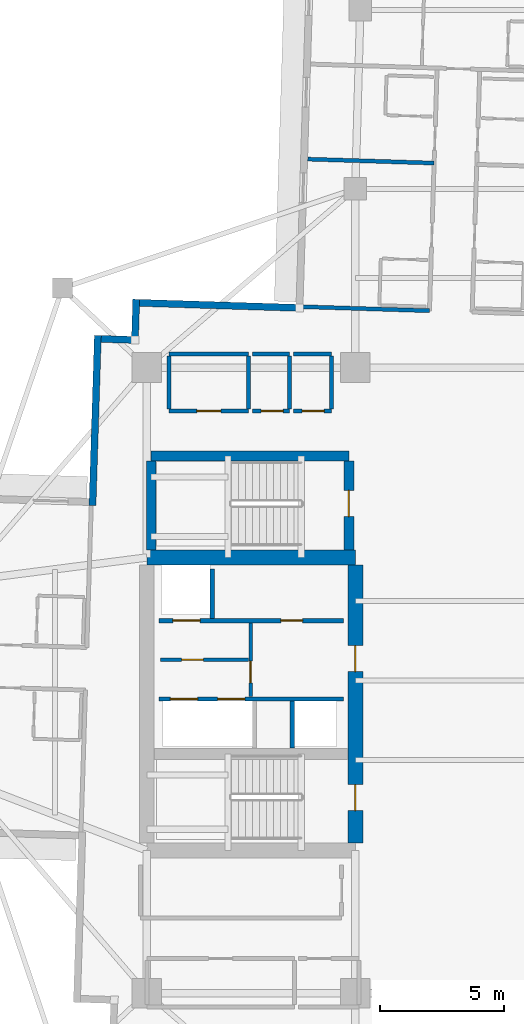
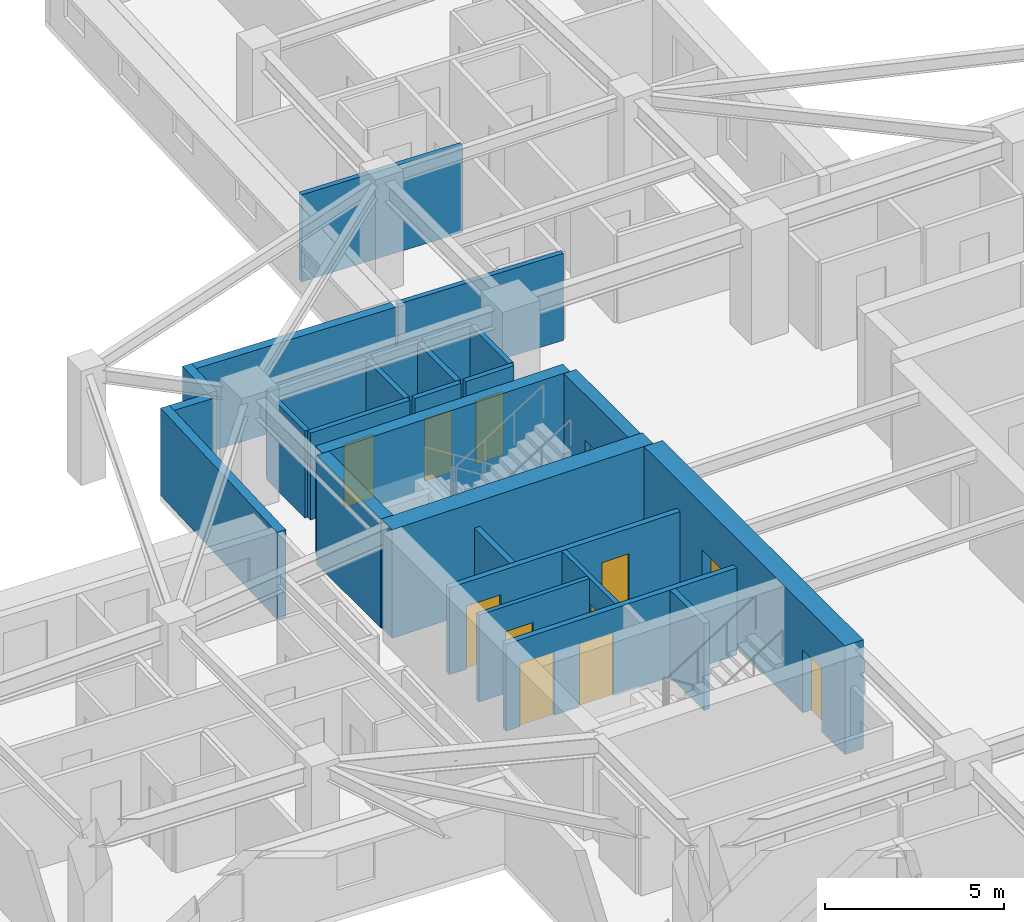
# One storey, part 6 of 14: 27 walls, 12 doors, 12 openings.
"""IFC4 building model written with IfcOpenShell, lengths in metres."""

import ifcopenshell
import ifcopenshell.guid

model = None  # the IFC model being written
_history = None  # IfcOwnerHistory: only IFC2X3 demands one
_inside = {}  # id of a spatial element -> (the spatial element, [elements in it])
_under = {}  # id of a project, library or spatial element -> (it, [spatial elements below it])
_declared = {}  # id of a project -> (the project, [libraries it declares])
_typed = {}  # id of a type object -> (the type object, [elements of that type])
_made_of = {}  # id of a material, layer set ... -> (it, [elements and type objects made of it])


def new_model(schema):
    """Start an empty IFC model of exactly this schema.

    Asked for "IFC4X3", IfcOpenShell would pick the latest addendum, in which some entities
    have other attributes; the version numbers below select the first issue.
    IFC2X3 requires an IfcOwnerHistory on every rooted entity: one is made here for all.
    """
    global model, _history
    if schema == "IFC4X3":
        model = ifcopenshell.file(schema_version=(4, 3, 0, 0))
    else:
        model = ifcopenshell.file(schema=schema)
    _inside.clear()
    _under.clear()
    _declared.clear()
    _typed.clear()
    _made_of.clear()
    _history = None
    if model.schema == "IFC2X3":
        org = make("IfcOrganization", Name="unknown")
        user = make(
            "IfcPersonAndOrganization",
            ThePerson=make("IfcPerson", FamilyName="unknown"),
            TheOrganization=org,
        )
        app = make(
            "IfcApplication",
            ApplicationDeveloper=org,
            Version="unknown",
            ApplicationFullName="unknown",
            ApplicationIdentifier="unknown",
        )
        _history = make(
            "IfcOwnerHistory",
            OwningUser=user,
            OwningApplication=app,
            ChangeAction="ADDED",
            CreationDate=0,
        )
    return model


def make(cls, **values):
    """One entity of the class cls with the attributes given. An attribute that is None is left unset."""
    return model.create_entity(
        cls, **{name: value for name, value in values.items() if value is not None}
    )


def rooted(cls, **values):
    """An entity with a GlobalId (a new one), such as an element, a storey or a relation."""
    return make(cls, GlobalId=ifcopenshell.guid.new(), OwnerHistory=_history, **values)


def si_unit(unit_type, name, prefix=None):
    """IfcSIUnit, for example si_unit("LENGTHUNIT", "METRE", prefix="MILLI")."""
    return make("IfcSIUnit", UnitType=unit_type, Prefix=prefix, Name=name)


def assignment(units):
    """IfcUnitAssignment: the units of a project."""
    return None if units is None else make("IfcUnitAssignment", Units=units)


def point(xyz):
    """IfcCartesianPoint."""
    return None if xyz is None else make("IfcCartesianPoint", Coordinates=xyz)


def direction(xyz):
    """IfcDirection."""
    return None if xyz is None else make("IfcDirection", DirectionRatios=xyz)


def frame(location, z_axis=None, x_axis=None):
    """IfcAxis2Placement3D, a coordinate frame: its origin and axes. An axis left out is left unset."""
    return make(
        "IfcAxis2Placement3D",
        Location=point(location),
        Axis=direction(z_axis),
        RefDirection=direction(x_axis),
    )


def frame_2d(location, x_axis=None):
    """IfcAxis2Placement2D, a coordinate frame in the plane: its origin and x axis."""
    return make(
        "IfcAxis2Placement2D", Location=point(location), RefDirection=direction(x_axis)
    )


def origin():
    """The frame at (0, 0, 0) with its axes left unset."""
    return frame((0.0, 0.0, 0.0))


def place(relative_to, where):
    """IfcLocalPlacement: puts the frame where relative to a parent placement (None: the world)."""
    return make(
        "IfcLocalPlacement", PlacementRelTo=relative_to, RelativePlacement=where
    )


def context(
    kind, dimensions, precision=None, world=None, true_north=None, identifier=None
):
    """IfcGeometricRepresentationContext, for example the 3D "Model" context."""
    return make(
        "IfcGeometricRepresentationContext",
        ContextIdentifier=identifier,
        ContextType=kind,
        CoordinateSpaceDimension=dimensions,
        Precision=precision,
        WorldCoordinateSystem=world,
        TrueNorth=true_north,
    )


def subcontext(parent, identifier, kind, view, scale=None):
    """IfcGeometricRepresentationSubContext, for example "Body" below "Model"."""
    return make(
        "IfcGeometricRepresentationSubContext",
        ContextIdentifier=identifier,
        ContextType=kind,
        ParentContext=parent,
        TargetScale=scale,
        TargetView=view,
    )


def project(units=None, contexts=None):
    """IfcProject with its units and contexts."""
    return rooted(
        "IfcProject",
        Name="project",
        RepresentationContexts=contexts,
        UnitsInContext=assignment(units),
    )


def spatial(cls, under=None, at=None, **own):
    """A site, building, storey or space (cls), placed at a placement, below another one or the project."""
    s = rooted(cls, ObjectPlacement=at, **own)
    if under is not None:
        _under.setdefault(under.id(), (under, []))[1].append(s)
    return s


def profile(cls, at=None, kind="AREA", **sizes):
    """A parametric profile (cls). Its sizes go by their IFC names, for example OverallWidth=200.0."""
    return make(cls, ProfileType=kind, Position=at, **sizes)


def rectangle(**sizes):
    """IfcRectangleProfileDef."""
    return profile("IfcRectangleProfileDef", **sizes)


def extrude(swept, where, along, depth):
    """IfcExtrudedAreaSolid: the profile swept, set in the frame where, extruded along a direction by depth."""
    return make(
        "IfcExtrudedAreaSolid",
        SweptArea=swept,
        Position=where,
        ExtrudedDirection=direction(along),
        Depth=depth,
    )


def shape(context_of_items, identifier, shape_type, items):
    """IfcShapeRepresentation: the items that make up one representation, for example the "Body"."""
    return make(
        "IfcShapeRepresentation",
        ContextOfItems=context_of_items,
        RepresentationIdentifier=identifier,
        RepresentationType=shape_type,
        Items=items,
    )


def material(Name=None, Category=None):
    """IfcMaterial."""
    return make("IfcMaterial", Name=Name, Category=Category)


def layer(
    of_material, thickness, ventilated=None, Name=None, Category=None, Priority=None
):
    """IfcMaterialLayer: one layer of a wall or slab, of a material (None: an air gap)."""
    return make(
        "IfcMaterialLayer",
        Material=of_material,
        LayerThickness=thickness,
        IsVentilated=ventilated,
        Name=Name,
        Category=Category,
        Priority=Priority,
    )


def layer_set(layers, Name=None):
    """IfcMaterialLayerSet."""
    return make("IfcMaterialLayerSet", MaterialLayers=layers, LayerSetName=Name)


def made_of(thing, what):
    """Note that an element or type object is made of a material, layer set ...; save() writes the relation."""
    if what is not None:
        _made_of.setdefault(what.id(), (what, []))[1].append(thing)
    return thing


def type_object(cls, material=None, **own):
    """A type object (cls), such as IfcWallType, which elements share."""
    return made_of(rooted(cls, **own), material)


def element(
    cls,
    number,
    at=None,
    inside=None,
    cuts=None,
    type_object=None,
    material=None,
    context=None,
    identifier="Body",
    shape_type=None,
    held_by="IfcProductDefinitionShape",
    body=None,
    shapes=None,
    **own,
):
    """One element of the class cls, such as IfcWall. Its Tag is "e" and its number.

    at: its placement. inside: the storey or other place that contains it. cuts: it is an
    opening in that element (IfcRelVoidsElement). A single representation is given by context,
    identifier, shape_type and body (its items); several are given by shapes. held_by: the class
    of the entity that holds the representations. save() writes the other relations.
    """
    e = rooted(cls, Tag="e%d" % number, ObjectPlacement=at, **own)
    if body is not None:
        shapes = [shape(context, identifier, shape_type, body)]
    if shapes is not None:
        e.Representation = make(held_by, Representations=shapes)
    if inside is not None:
        _inside.setdefault(inside.id(), (inside, []))[1].append(e)
    if cuts is not None:
        rooted(
            "IfcRelVoidsElement", RelatingBuildingElement=cuts, RelatedOpeningElement=e
        )
    if type_object is not None:
        _typed.setdefault(type_object.id(), (type_object, []))[1].append(e)
    return made_of(e, material)


def fill(opening, filler):
    """IfcRelFillsElement: the door or window that sits in an opening."""
    return rooted(
        "IfcRelFillsElement",
        RelatingOpeningElement=opening,
        RelatedBuildingElement=filler,
    )


def aggregate(whole, parts):
    """IfcRelAggregates: a whole, such as a stair, and the parts it consists of."""
    return rooted("IfcRelAggregates", RelatingObject=whole, RelatedObjects=parts)


def save(model, path):
    """Write the relations noted so far, then the file.

    IfcRelAggregates (storeys below a building ...), IfcRelContainedInSpatialStructure (elements
    in a storey), IfcRelDefinesByType, IfcRelAssociatesMaterial and IfcRelDeclares: one each for
    every whole, place, type object, material and project.
    """
    for whole, parts in _under.values():
        aggregate(whole, parts)
    for where, things in _inside.values():
        rooted(
            "IfcRelContainedInSpatialStructure",
            RelatedElements=things,
            RelatingStructure=where,
        )
    for kind, things in _typed.values():
        rooted("IfcRelDefinesByType", RelatedObjects=things, RelatingType=kind)
    for what, things in _made_of.values():
        rooted("IfcRelAssociatesMaterial", RelatedObjects=things, RelatingMaterial=what)
    for by, libraries in _declared.values():
        rooted("IfcRelDeclares", RelatingContext=by, RelatedDefinitions=libraries)
    model.write(path)


model = new_model("IFC4")

# Units and contexts
model_context = context("Model", 3, precision=1e-05, world=origin(), true_north=direction((0.0, 1.0)))
body_context = subcontext(model_context, "Body", "Model", "MODEL_VIEW")
ifc_project = project(units=[si_unit("LENGTHUNIT", "METRE"), si_unit("AREAUNIT", "SQUARE_METRE"), si_unit("VOLUMEUNIT", "CUBIC_METRE"), si_unit("PLANEANGLEUNIT", "RADIAN"), si_unit("MASSUNIT", "GRAM", prefix="KILO")], contexts=[model_context])

# Site, building, storey
site_placement = place(None, origin())
site = spatial("IfcSite", under=ifc_project, at=site_placement, CompositionType="ELEMENT")
building_placement = place(site_placement, origin())
building = spatial("IfcBuilding", under=site, at=building_placement, Name="Qingluan Cross Belvedere", CompositionType="ELEMENT")
storey_placement = place(building_placement, frame((0.0, 0.0, 176.10009765625)))
storey = spatial("IfcBuildingStorey", under=building, at=storey_placement, Name="L44", CompositionType="ELEMENT", Elevation=176.10009765625)

# Walls
ifc_material_1 = material(Name="Concrete C50", Category="concrete")
ifc_layer_1 = layer(ifc_material_1, 0.449951171875, Name="CoreShearWall_450")
ifc_layer_set_1 = layer_set([ifc_layer_1], Name="Concrete C50")
wall_type_1 = type_object("IfcWallType", Name="CoreShearWall_450", PredefinedType="SHEAR", material=ifc_layer_set_1)
wall_1_placement = place(storey_placement, frame((-12.219970703125, 9.0400390625, 0.0), z_axis=(0.0, 0.0, 1.0), x_axis=(1.0, 0.0, 0.0)))
element("IfcWall", 1, at=wall_1_placement, inside=storey, type_object=wall_type_1, Name="Stair ST3 structural wall N L44", PredefinedType="SHEAR", context=body_context, shape_type="SweptSolid", body=[
    extrude(rectangle(XDim=7.9599609375, YDim=0.39990234375, at=frame_2d((3.97998046875, 0.0))), origin(), (0.0, 0.0, 1.0), 3.699951171875),
])
wall_2_placement = place(storey_placement, frame((-12.219970703125, 5.2548828125, 0.0), z_axis=(0.0, 0.0, 1.0), x_axis=(0.0, 1.0, 0.0)))
element("IfcWall", 2, at=wall_2_placement, inside=storey, type_object=wall_type_1, Name="Stair ST3 structural wall W L44", PredefinedType="SHEAR", context=body_context, shape_type="SweptSolid", body=[
    extrude(rectangle(XDim=3.580078125, YDim=0.39990234375, at=frame_2d((1.7900390625, 0.0))), origin(), (0.0, 0.0, 1.0), 3.699951171875),
])

# Wall, opening, door
wall_3_placement = place(storey_placement, frame((-4.260009765625, 5.2548828125, 0.0), z_axis=(0.0, 0.0, 1.0), x_axis=(0.0, 1.0, 0.0)))
wall_3 = element("IfcWall", 3, at=wall_3_placement, inside=storey, type_object=wall_type_1, Name="Stair ST3 structural wall E L44", PredefinedType="SHEAR", context=body_context, shape_type="SweptSolid", body=[
    extrude(rectangle(XDim=3.580078125, YDim=0.39990234375, at=frame_2d((1.7900390625, 0.0))), origin(), (0.0, 0.0, 1.0), 3.699951171875),
])
opening_1_placement = place(wall_3_placement, frame((1.344970703125, 0.0, 0.0)))
opening_1 = element("IfcOpeningElement", 4, at=opening_1_placement, cuts=wall_3, Name="Opening FD-B11", PredefinedType="OPENING", context=body_context, shape_type="SweptSolid", body=[
    extrude(rectangle(XDim=1.050048828125, YDim=2.14990234375, at=frame_2d((0.52490234375, 1.074951171875))), frame((0.0, 0.2099609375, 0.0), z_axis=(0.0, -1.0, 0.0), x_axis=(1.0, 0.0, 0.0)), (0.0, 0.0, 1.0), 0.419921875),
])
ifc_material_2 = material(Name="Steel Class B smoke-seal fire door", Category="steel")
door_type_1 = type_object("IfcDoorType", Name="StairLobbyFireDoor_FDB", OperationType="NOTDEFINED", PredefinedType="DOOR", material=ifc_material_2)
door_1_placement = place(opening_1_placement, origin())
door_1 = element("IfcDoor", 5, at=door_1_placement, inside=storey, type_object=door_type_1, Name="Smoke-proof stair ST3 fire door L44", OperationType="SINGLE_SWING_RIGHT", OverallHeight=2.14990234375, OverallWidth=1.050048828125, PredefinedType="DOOR", context=body_context, shape_type="SweptSolid", body=[
    extrude(rectangle(XDim=1.050048828125, YDim=2.14990234375, at=frame_2d((0.52490234375, 1.074951171875))), frame((0.0, 0.02490234375, 0.0), z_axis=(0.0, -1.0, 0.0), x_axis=(1.0, 0.0, 0.0)), (0.0, 0.0, 1.0), 0.050048828125),
])
fill(opening_1, door_1)

# Wall
ifc_material_3 = material(Name="Concrete C60", Category="concrete")
ifc_layer_2 = layer(ifc_material_3, 0.60009765625, Name="CoreShearWall_600")
ifc_layer_set_2 = layer_set([ifc_layer_2], Name="Concrete C60")
wall_type_2 = type_object("IfcWallType", Name="CoreShearWall_600", PredefinedType="SHEAR", material=ifc_layer_set_2)
wall_4_placement = place(storey_placement, frame((-12.39990234375, 4.949951171875, 0.0), z_axis=(0.0, 0.0, 1.0), x_axis=(1.0, 0.0, 0.0)))
element("IfcWall", 6, at=wall_4_placement, inside=storey, type_object=wall_type_2, Name="Split core W shear wall L44-N", PredefinedType="SHEAR", context=body_context, shape_type="SweptSolid", body=[
    extrude(rectangle(XDim=8.39990234375, YDim=0.60009765625, at=frame_2d((4.199951171875, 0.0))), origin(), (0.0, 0.0, 1.0), 3.699951171875),
])

# Wall, openings, doors
wall_5_placement = place(storey_placement, frame((-4.0, -6.544921875, 0.0), z_axis=(0.0, 0.0, 1.0), x_axis=(0.0, 1.0, 0.0)))
wall_5 = element("IfcWall", 7, at=wall_5_placement, inside=storey, type_object=wall_type_2, Name="Split core W shear wall L44-E", PredefinedType="SHEAR", context=body_context, shape_type="SweptSolid", body=[
    extrude(rectangle(XDim=11.18994140625, YDim=0.60009765625, at=frame_2d((5.594970703125, 0.0))), origin(), (0.0, 0.0, 1.0), 3.699951171875),
])
opening_2_placement = place(wall_5_placement, frame((1.294921875, 0.0, 0.0)))
opening_2 = element("IfcOpeningElement", 8, at=opening_2_placement, cuts=wall_5, Name="Opening FD-B11", PredefinedType="OPENING", context=body_context, shape_type="SweptSolid", body=[
    extrude(rectangle(XDim=1.050048828125, YDim=2.14990234375, at=frame_2d((0.52490234375, 1.074951171875))), frame((0.0, 0.31005859375, 0.0), z_axis=(0.0, -1.0, 0.0), x_axis=(1.0, 0.0, 0.0)), (0.0, 0.0, 1.0), 0.6201171875),
])
opening_3_placement = place(wall_5_placement, frame((6.89501953125, 0.0, 0.0)))
opening_3 = element("IfcOpeningElement", 9, at=opening_3_placement, cuts=wall_5, Name="Opening FD-B11", PredefinedType="OPENING", context=body_context, shape_type="SweptSolid", body=[
    extrude(rectangle(XDim=1.050048828125, YDim=2.14990234375, at=frame_2d((0.52490234375, 1.074951171875))), frame((0.0, 0.31005859375, 0.0), z_axis=(0.0, -1.0, 0.0), x_axis=(1.0, 0.0, 0.0)), (0.0, 0.0, 1.0), 0.6201171875),
])
door_2_placement = place(opening_2_placement, origin())
door_2 = element("IfcDoor", 10, at=door_2_placement, inside=storey, type_object=door_type_1, Name="Smoke-proof stair ST1 fire door L44", OperationType="SINGLE_SWING_RIGHT", OverallHeight=2.14990234375, OverallWidth=1.050048828125, PredefinedType="DOOR", context=body_context, shape_type="SweptSolid", body=[
    extrude(rectangle(XDim=1.050048828125, YDim=2.14990234375, at=frame_2d((0.52490234375, 1.074951171875))), frame((0.0, 0.02490234375, 0.0), z_axis=(0.0, -1.0, 0.0), x_axis=(1.0, 0.0, 0.0)), (0.0, 0.0, 1.0), 0.050048828125),
])
fill(opening_2, door_2)
door_3_placement = place(opening_3_placement, origin())
door_3 = element("IfcDoor", 11, at=door_3_placement, inside=storey, type_object=door_type_1, Name="Firefighting lobby West fire door L44", OperationType="SINGLE_SWING_RIGHT", OverallHeight=2.14990234375, OverallWidth=1.050048828125, PredefinedType="DOOR", context=body_context, shape_type="SweptSolid", body=[
    extrude(rectangle(XDim=1.050048828125, YDim=2.14990234375, at=frame_2d((0.52490234375, 1.074951171875))), frame((0.0, 0.02490234375, 0.0), z_axis=(0.0, -1.0, 0.0), x_axis=(1.0, 0.0, 0.0)), (0.0, 0.0, 1.0), 0.050048828125),
])
fill(opening_3, door_3)

# Wall, opening, door
ifc_material_4 = material(Name="Gypsum plasterboard on steel stud acoustic partition", Category="steel")
ifc_layer_3 = layer(ifc_material_4, 0.159912109375, Name="CorridorPartition_160")
ifc_layer_set_3 = layer_set([ifc_layer_3], Name="Gypsum plasterboard on steel stud acoustic partition")
wall_type_3 = type_object("IfcWallType", Name="CorridorPartition_160", PredefinedType="PARTITIONING", material=ifc_layer_set_3)
wall_6_placement = place(storey_placement, frame((-11.85009765625, 0.830078125, 0.0), z_axis=(0.0, 0.0, 1.0), x_axis=(1.0, 0.0, 0.0)))
wall_6 = element("IfcWall", 12, at=wall_6_placement, inside=storey, type_object=wall_type_3, Name="Partition L44:w", PredefinedType="PARTITIONING", context=body_context, shape_type="SweptSolid", body=[
    extrude(rectangle(XDim=3.552001953125, YDim=0.139892578125, at=frame_2d((1.77587890625, 0.0))), origin(), (0.0, 0.0, 1.0), 2.9599609375),
])
opening_4_placement = place(wall_6_placement, frame((0.85009765625, 0.0, 0.0)))
opening_4 = element("IfcOpeningElement", 13, at=opening_4_placement, cuts=wall_6, Name="Opening FD-B10", PredefinedType="OPENING", context=body_context, shape_type="SweptSolid", body=[
    extrude(rectangle(XDim=0.8798828125, YDim=2.10009765625, at=frame_2d((0.43994140625, 1.050048828125))), frame((0.0, 0.079833984375, 0.0), z_axis=(0.0, -1.0, 0.0), x_axis=(1.0, 0.0, 0.0)), (0.0, 0.0, 1.0), 0.159912109375),
])
ifc_material_5 = material(Name="Steel Class B service fire door", Category="steel")
door_type_2 = type_object("IfcDoorType", Name="RiserServiceFireDoor_FDB", OperationType="NOTDEFINED", PredefinedType="DOOR", material=ifc_material_5)
door_4_placement = place(opening_4_placement, origin())
door_4 = element("IfcDoor", 14, at=door_4_placement, inside=storey, type_object=door_type_2, Name="Service closet inner door L44", OperationType="SINGLE_SWING_LEFT", OverallHeight=2.10009765625, OverallWidth=0.8798828125, PredefinedType="DOOR", context=body_context, shape_type="SweptSolid", body=[
    extrude(rectangle(XDim=0.8798828125, YDim=2.10009765625, at=frame_2d((0.43994140625, 1.050048828125))), frame((0.0, 0.02490234375, 0.0), z_axis=(0.0, -1.0, 0.0), x_axis=(1.0, 0.0, 0.0)), (0.0, 0.0, 1.0), 0.050048828125),
])
fill(opening_4, door_4)

wall_7_placement = place(storey_placement, frame((-11.5, 10.85009765625, 0.0), z_axis=(0.0, 0.0, 1.0), x_axis=(1.0, 0.0, 0.0)))
wall_7 = element("IfcWall", 15, at=wall_7_placement, inside=storey, type_object=wall_type_3, Name="Partition L44:q_nw_occ:S", PredefinedType="PARTITIONING", context=body_context, shape_type="SweptSolid", body=[
    extrude(rectangle(XDim=3.199951171875, YDim=0.159912109375, at=frame_2d((1.60009765625, 0.0))), origin(), (0.0, 0.0, 1.0), 2.9599609375),
])
opening_5_placement = place(wall_7_placement, frame((1.1201171875, 0.0, 0.0)))
opening_5 = element("IfcOpeningElement", 16, at=opening_5_placement, cuts=wall_7, Name="Opening GD-10", PredefinedType="OPENING", context=body_context, shape_type="SweptSolid", body=[
    extrude(rectangle(XDim=0.9599609375, YDim=2.14990234375, at=frame_2d((0.47998046875, 1.074951171875))), frame((0.0, 0.08984375, 0.0), z_axis=(0.0, -1.0, 0.0), x_axis=(1.0, 0.0, 0.0)), (0.0, 0.0, 1.0), 0.179931640625),
])
ifc_material_6 = material(Name="Timber oak fire-rated acoustic guestroom door", Category="wood")
door_type_3 = type_object("IfcDoorType", Name="GuestEntryDoor_FD60", OperationType="NOTDEFINED", PredefinedType="DOOR", material=ifc_material_6)
door_5_placement = place(opening_5_placement, origin())
door_5 = element("IfcDoor", 17, at=door_5_placement, inside=storey, type_object=door_type_3, Name="Northwest corner reading salon L44 door", OperationType="SINGLE_SWING_RIGHT", OverallHeight=2.14990234375, OverallWidth=0.9599609375, PredefinedType="DOOR", context=body_context, shape_type="SweptSolid", body=[
    extrude(rectangle(XDim=0.9599609375, YDim=2.14990234375, at=frame_2d((0.47998046875, 1.074951171875))), frame((0.0, 0.02490234375, 0.0), z_axis=(0.0, -1.0, 0.0), x_axis=(1.0, 0.0, 0.0)), (0.0, 0.0, 1.0), 0.050048828125),
])
fill(opening_5, door_5)

# Walls
wall_8_placement = place(storey_placement, frame((-11.5, 13.14990234375, 0.0), z_axis=(0.0, 0.0, 1.0), x_axis=(1.0, 0.0, 0.0)))
element("IfcWall", 18, at=wall_8_placement, inside=storey, type_object=wall_type_3, Name="Partition L44:q_nw_occ:N", PredefinedType="PARTITIONING", context=body_context, shape_type="SweptSolid", body=[
    extrude(rectangle(XDim=3.199951171875, YDim=0.159912109375, at=frame_2d((1.60009765625, 0.0))), origin(), (0.0, 0.0, 1.0), 2.9599609375),
])
for number, where, z_axis, x_axis, name in (
    (19, (-11.5, 10.93505859375, 0.0), (0.0, 0.0, 1.0), (0.0, 1.0, 0.0), "Partition L44:q_nw_occ:W"),
    (20, (-8.300048828125, 10.93505859375, 0.0), (0.0, 0.0, 1.0), (0.0, 1.0, 0.0), "Partition L44:q_nw_occ:E"),
):
    element("IfcWall", number, at=place(storey_placement, frame(where, z_axis=z_axis, x_axis=x_axis)), inside=storey, type_object=wall_type_3, Name=name, PredefinedType="PARTITIONING", context=body_context, shape_type="SweptSolid", body=[
        extrude(rectangle(XDim=2.1298828125, YDim=0.159912109375, at=frame_2d((1.06494140625, 0.0))), origin(), (0.0, 0.0, 1.0), 2.9599609375),
    ])

# Wall, opening, door
wall_9_placement = place(storey_placement, frame((-8.139892578125, 10.85009765625, 0.0), z_axis=(0.0, 0.0, 1.0), x_axis=(1.0, 0.0, 0.0)))
wall_9 = element("IfcWall", 21, at=wall_9_placement, inside=storey, type_object=wall_type_3, Name="Partition L44:hk_linen:S", PredefinedType="PARTITIONING", context=body_context, shape_type="SweptSolid", body=[
    extrude(rectangle(XDim=1.489990234375, YDim=0.159912109375, at=frame_2d((0.7451171875, 0.0))), origin(), (0.0, 0.0, 1.0), 2.9599609375),
])
opening_6_placement = place(wall_9_placement, frame((0.35009765625, 0.0, 0.0)))
opening_6 = element("IfcOpeningElement", 22, at=opening_6_placement, cuts=wall_9, Name="Opening FD-B10", PredefinedType="OPENING", context=body_context, shape_type="SweptSolid", body=[
    extrude(rectangle(XDim=0.8798828125, YDim=2.10009765625, at=frame_2d((0.43994140625, 1.050048828125))), frame((0.0, 0.08984375, 0.0), z_axis=(0.0, -1.0, 0.0), x_axis=(1.0, 0.0, 0.0)), (0.0, 0.0, 1.0), 0.179931640625),
])
door_6_placement = place(opening_6_placement, origin())
door_6 = element("IfcDoor", 23, at=door_6_placement, inside=storey, type_object=door_type_2, Name="Housekeeping and linen store L44 door", OperationType="SINGLE_SWING_LEFT", OverallHeight=2.10009765625, OverallWidth=0.8798828125, PredefinedType="DOOR", context=body_context, shape_type="SweptSolid", body=[
    extrude(rectangle(XDim=0.8798828125, YDim=2.10009765625, at=frame_2d((0.43994140625, 1.050048828125))), frame((0.0, 0.02490234375, 0.0), z_axis=(0.0, -1.0, 0.0), x_axis=(1.0, 0.0, 0.0)), (0.0, 0.0, 1.0), 0.050048828125),
])
fill(opening_6, door_6)

# Walls
wall_10_placement = place(storey_placement, frame((-8.139892578125, 13.14990234375, 0.0), z_axis=(0.0, 0.0, 1.0), x_axis=(1.0, 0.0, 0.0)))
element("IfcWall", 24, at=wall_10_placement, inside=storey, type_object=wall_type_3, Name="Partition L44:hk_linen:N", PredefinedType="PARTITIONING", context=body_context, shape_type="SweptSolid", body=[
    extrude(rectangle(XDim=1.489990234375, YDim=0.159912109375, at=frame_2d((0.7451171875, 0.0))), origin(), (0.0, 0.0, 1.0), 2.9599609375),
])
wall_11_placement = place(storey_placement, frame((-6.64990234375, 10.93505859375, 0.0), z_axis=(0.0, 0.0, 1.0), x_axis=(0.0, 1.0, 0.0)))
element("IfcWall", 25, at=wall_11_placement, inside=storey, type_object=wall_type_3, Name="Partition L44:hk_linen:E", PredefinedType="PARTITIONING", context=body_context, shape_type="SweptSolid", body=[
    extrude(rectangle(XDim=2.1298828125, YDim=0.159912109375, at=frame_2d((1.06494140625, 0.0))), origin(), (0.0, 0.0, 1.0), 2.9599609375),
])

# Wall, opening, door
wall_12_placement = place(storey_placement, frame((-6.489990234375, 10.85009765625, 0.0), z_axis=(0.0, 0.0, 1.0), x_axis=(1.0, 0.0, 0.0)))
wall_12 = element("IfcWall", 26, at=wall_12_placement, inside=storey, type_object=wall_type_3, Name="Partition L44:floor_acc_wc:S", PredefinedType="PARTITIONING", context=body_context, shape_type="SweptSolid", body=[
    extrude(rectangle(XDim=1.5400390625, YDim=0.159912109375, at=frame_2d((0.77001953125, 0.0))), origin(), (0.0, 0.0, 1.0), 2.9599609375),
])
opening_7_placement = place(wall_12_placement, frame((0.35009765625, 0.0, 0.0)))
opening_7 = element("IfcOpeningElement", 27, at=opening_7_placement, cuts=wall_12, Name="Opening BD-08", PredefinedType="OPENING", context=body_context, shape_type="SweptSolid", body=[
    extrude(rectangle(XDim=0.8798828125, YDim=2.14990234375, at=frame_2d((0.43994140625, 1.074951171875))), frame((0.0, 0.08984375, 0.0), z_axis=(0.0, -1.0, 0.0), x_axis=(1.0, 0.0, 0.0)), (0.0, 0.0, 1.0), 0.179931640625),
])
ifc_material_7 = material(Name="Moisture-sealed timber accessible WC door", Category="wood")
door_type_4 = type_object("IfcDoorType", Name="AccessibleWCDoor_880", OperationType="NOTDEFINED", PredefinedType="DOOR", material=ifc_material_7)
door_7_placement = place(opening_7_placement, origin())
door_7 = element("IfcDoor", 28, at=door_7_placement, inside=storey, type_object=door_type_4, Name="Accessible guest washroom L44 door", OperationType="SINGLE_SWING_RIGHT", OverallHeight=2.14990234375, OverallWidth=0.8798828125, PredefinedType="DOOR", context=body_context, shape_type="SweptSolid", body=[
    extrude(rectangle(XDim=0.8798828125, YDim=2.14990234375, at=frame_2d((0.43994140625, 1.074951171875))), frame((0.0, 0.02490234375, 0.0), z_axis=(0.0, -1.0, 0.0), x_axis=(1.0, 0.0, 0.0)), (0.0, 0.0, 1.0), 0.050048828125),
])
fill(opening_7, door_7)

# Walls
wall_13_placement = place(storey_placement, frame((-6.489990234375, 13.14990234375, 0.0), z_axis=(0.0, 0.0, 1.0), x_axis=(1.0, 0.0, 0.0)))
element("IfcWall", 29, at=wall_13_placement, inside=storey, type_object=wall_type_3, Name="Partition L44:floor_acc_wc:N", PredefinedType="PARTITIONING", context=body_context, shape_type="SweptSolid", body=[
    extrude(rectangle(XDim=1.5400390625, YDim=0.159912109375, at=frame_2d((0.77001953125, 0.0))), origin(), (0.0, 0.0, 1.0), 2.9599609375),
])
wall_14_placement = place(storey_placement, frame((-4.949951171875, 10.93505859375, 0.0), z_axis=(0.0, 0.0, 1.0), x_axis=(0.0, 1.0, 0.0)))
element("IfcWall", 30, at=wall_14_placement, inside=storey, type_object=wall_type_3, Name="Partition L44:floor_acc_wc:E", PredefinedType="PARTITIONING", context=body_context, shape_type="SweptSolid", body=[
    extrude(rectangle(XDim=2.1298828125, YDim=0.159912109375, at=frame_2d((1.06494140625, 0.0))), origin(), (0.0, 0.0, 1.0), 2.9599609375),
])
wall_15_placement = place(storey_placement, frame((-1.0126953125, 14.88916015625, 0.0), z_axis=(0.0, 0.0, 1.0), x_axis=(-0.999506834859, 0.031402023339, 0.0)))
element("IfcWall", 31, at=wall_15_placement, inside=storey, type_object=wall_type_3, Name="Partition L44:N:s1", PredefinedType="PARTITIONING", context=body_context, shape_type="SweptSolid", body=[
    extrude(rectangle(XDim=5.240234375, YDim=0.159912109375, at=frame_2d((2.6201171875, 0.0))), origin(), (0.0, 0.0, 1.0), 2.9599609375),
])
wall_16_placement = place(storey_placement, frame((-0.825927734375, 20.836181640625, 0.0), z_axis=(0.0, 0.0, 1.0), x_axis=(-0.999506728859, 0.031405397074, 0.0)))
element("IfcWall", 32, at=wall_16_placement, inside=storey, type_object=wall_type_3, Name="Partition L44:N:d1_0", PredefinedType="PARTITIONING", context=body_context, shape_type="SweptSolid", body=[
    extrude(rectangle(XDim=5.091796875, YDim=0.159912109375, at=frame_2d((2.5458984375, 0.0))), origin(), (0.0, 0.0, 1.0), 2.9599609375),
])
ifc_material_8 = material(Name="Precast concrete C45", Category="concrete")
ifc_layer_4 = layer(ifc_material_8, 0.280029296875, Name="PrecastFacadeWall_280")
ifc_layer_set_4 = layer_set([ifc_layer_4], Name="Precast concrete C45")
wall_type_4 = type_object("IfcWallType", Name="PrecastFacadeWall_280", PredefinedType="STANDARD", material=ifc_layer_set_4)
wall_17_placement = place(storey_placement, frame((-14.5859375, 7.04150390625, 0.0), z_axis=(0.0, 0.0, 1.0), x_axis=(0.031389189386, 0.999507237988, 0.0)))
element("IfcWall", 33, at=wall_17_placement, inside=storey, type_object=wall_type_4, Name="Corner wall L44-NW1", PredefinedType="STANDARD", context=body_context, shape_type="SweptSolid", body=[
    extrude(rectangle(XDim=6.860107421875, YDim=0.280029296875, at=frame_2d((3.43017578125, 0.0))), origin(), (0.0, 0.0, 1.0), 2.969970703125),
])
wall_18_placement = place(storey_placement, frame((-14.235107421875, 13.75390625, 0.0), z_axis=(0.0, 0.0, 1.0), x_axis=(0.999506398264, -0.031415916822, 0.0)))
element("IfcWall", 34, at=wall_18_placement, inside=storey, type_object=wall_type_4, Name="Corner wall L44-NW2", PredefinedType="STANDARD", context=body_context, shape_type="SweptSolid", body=[
    extrude(rectangle(XDim=1.219970703125, YDim=0.280029296875, at=frame_2d((0.60986328125, 0.0))), origin(), (0.0, 0.0, 1.0), 2.969970703125),
])
wall_19_placement = place(storey_placement, frame((-12.871337890625, 13.85107421875, 0.0), z_axis=(0.0, 0.0, 1.0), x_axis=(0.031412596484, 0.999506502621, 0.0)))
element("IfcWall", 35, at=wall_19_placement, inside=storey, type_object=wall_type_4, Name="Corner wall L44-NW3", PredefinedType="STANDARD", context=body_context, shape_type="SweptSolid", body=[
    extrude(rectangle(XDim=1.5, YDim=0.280029296875, at=frame_2d((0.75, 0.0))), origin(), (0.0, 0.0, 1.0), 2.969970703125),
])
wall_20_placement = place(storey_placement, frame((-12.688720703125, 15.2060546875, 0.0), z_axis=(0.0, 0.0, 1.0), x_axis=(0.999507262922, -0.031388395416, 0.0)))
element("IfcWall", 36, at=wall_20_placement, inside=storey, type_object=wall_type_4, Name="Corner wall L44-NW4", PredefinedType="STANDARD", context=body_context, shape_type="SweptSolid", body=[
    extrude(rectangle(XDim=6.30029296875, YDim=0.280029296875, at=frame_2d((3.150146484375, 0.0))), origin(), (0.0, 0.0, 1.0), 2.969970703125),
])

# Wall, openings, doors
ifc_material_9 = material(Name="Concrete C40", Category="concrete")
ifc_layer_5 = layer(ifc_material_9, 0.219970703125, Name="ShaftEnclosureWall_250")
ifc_layer_set_5 = layer_set([ifc_layer_5], Name="Concrete C40")
wall_type_5 = type_object("IfcWallType", Name="ShaftEnclosureWall_250", PredefinedType="SOLIDWALL", material=ifc_layer_set_5)
wall_21_placement = place(storey_placement, frame((-11.89990234375, 2.409912109375, 0.0), z_axis=(0.0, 0.0, 1.0), x_axis=(1.0, 0.0, 0.0)))
wall_21 = element("IfcWall", 37, at=wall_21_placement, inside=storey, type_object=wall_type_5, Name="Core-W north hoistway wall L44", PredefinedType="SOLIDWALL", context=body_context, shape_type="SweptSolid", body=[
    extrude(rectangle(XDim=7.419921875, YDim=0.179931640625, at=frame_2d((3.7099609375, 0.0))), origin(), (0.0, 0.0, 1.0), 2.9599609375),
])
opening_8_placement = place(wall_21_placement, frame((0.550048828125, 0.0, 0.0)))
opening_8 = element("IfcOpeningElement", 38, at=opening_8_placement, cuts=wall_21, Name="Opening LD-11", PredefinedType="OPENING", context=body_context, shape_type="SweptSolid", body=[
    extrude(rectangle(XDim=1.10009765625, YDim=2.14990234375, at=frame_2d((0.550048828125, 1.074951171875))), frame((0.0, 0.099853515625, 0.0), z_axis=(0.0, -1.0, 0.0), x_axis=(1.0, 0.0, 0.0)), (0.0, 0.0, 1.0), 0.199951171875),
])
opening_9_placement = place(wall_21_placement, frame((4.89990234375, 0.0, 0.0)))
opening_9 = element("IfcOpeningElement", 39, at=opening_9_placement, cuts=wall_21, Name="Opening FD-B10", PredefinedType="OPENING", context=body_context, shape_type="SweptSolid", body=[
    extrude(rectangle(XDim=0.8798828125, YDim=2.10009765625, at=frame_2d((0.43994140625, 1.050048828125))), frame((0.0, 0.099853515625, 0.0), z_axis=(0.0, -1.0, 0.0), x_axis=(1.0, 0.0, 0.0)), (0.0, 0.0, 1.0), 0.199951171875),
])
ifc_material_10 = material(Name="Brushed stainless steel centre-opening lift landing door", Category="steel")
door_type_5 = type_object("IfcDoorType", Name="LiftLandingSlidingDoor_1100", OperationType="DOUBLE_DOOR_SLIDING", PredefinedType="DOOR", material=ifc_material_10)
door_8_placement = place(opening_8_placement, origin())
door_8 = element("IfcDoor", 40, at=door_8_placement, inside=storey, type_object=door_type_5, Name="Lift landing sliding door FL1 L44", OperationType="DOUBLE_DOOR_SLIDING", OverallHeight=2.14990234375, OverallWidth=1.10009765625, PredefinedType="DOOR", context=body_context, shape_type="SweptSolid", body=[
    extrude(rectangle(XDim=1.10009765625, YDim=2.14990234375, at=frame_2d((0.550048828125, 1.074951171875))), frame((0.0, 0.02490234375, 0.0), z_axis=(0.0, -1.0, 0.0), x_axis=(1.0, 0.0, 0.0)), (0.0, 0.0, 1.0), 0.050048828125),
])
fill(opening_8, door_8)
door_9_placement = place(opening_9_placement, origin())
door_9 = element("IfcDoor", 41, at=door_9_placement, inside=storey, type_object=door_type_2, Name="Housekeeping supply room door W L44", OperationType="SINGLE_SWING_LEFT", OverallHeight=2.10009765625, OverallWidth=0.8798828125, PredefinedType="DOOR", context=body_context, shape_type="SweptSolid", body=[
    extrude(rectangle(XDim=0.8798828125, YDim=2.10009765625, at=frame_2d((0.43994140625, 1.050048828125))), frame((0.0, 0.02490234375, 0.0), z_axis=(0.0, -1.0, 0.0), x_axis=(1.0, 0.0, 0.0)), (0.0, 0.0, 1.0), 0.050048828125),
])
fill(opening_9, door_9)

wall_22_placement = place(storey_placement, frame((-11.89990234375, -0.75, 0.0), z_axis=(0.0, 0.0, 1.0), x_axis=(1.0, 0.0, 0.0)))
wall_22 = element("IfcWall", 42, at=wall_22_placement, inside=storey, type_object=wall_type_5, Name="Core-W mid hoistway wall L44", PredefinedType="SOLIDWALL", context=body_context, shape_type="SweptSolid", body=[
    extrude(rectangle(XDim=7.419921875, YDim=0.179931640625, at=frame_2d((3.7099609375, 0.0))), origin(), (0.0, 0.0, 1.0), 2.9599609375),
])
opening_10_placement = place(wall_22_placement, frame((0.449951171875, 0.0, 0.0)))
opening_10 = element("IfcOpeningElement", 43, at=opening_10_placement, cuts=wall_22, Name="Opening LD-11", PredefinedType="OPENING", context=body_context, shape_type="SweptSolid", body=[
    extrude(rectangle(XDim=1.10009765625, YDim=2.14990234375, at=frame_2d((0.550048828125, 1.074951171875))), frame((0.0, 0.099853515625, 0.0), z_axis=(0.0, -1.0, 0.0), x_axis=(1.0, 0.0, 0.0)), (0.0, 0.0, 1.0), 0.199951171875),
])
opening_11_placement = place(wall_22_placement, frame((2.35009765625, 0.0, 0.0)))
opening_11 = element("IfcOpeningElement", 44, at=opening_11_placement, cuts=wall_22, Name="Opening LD-11", PredefinedType="OPENING", context=body_context, shape_type="SweptSolid", body=[
    extrude(rectangle(XDim=1.10009765625, YDim=2.14990234375, at=frame_2d((0.550048828125, 1.074951171875))), frame((0.0, 0.099853515625, 0.0), z_axis=(0.0, -1.0, 0.0), x_axis=(1.0, 0.0, 0.0)), (0.0, 0.0, 1.0), 0.199951171875),
])
door_10_placement = place(opening_10_placement, origin())
door_10 = element("IfcDoor", 45, at=door_10_placement, inside=storey, type_object=door_type_5, Name="Lift landing sliding door LP5 L44", OperationType="DOUBLE_DOOR_SLIDING", OverallHeight=2.14990234375, OverallWidth=1.10009765625, PredefinedType="DOOR", context=body_context, shape_type="SweptSolid", body=[
    extrude(rectangle(XDim=1.10009765625, YDim=2.14990234375, at=frame_2d((0.550048828125, 1.074951171875))), frame((0.0, 0.02490234375, 0.0), z_axis=(0.0, -1.0, 0.0), x_axis=(1.0, 0.0, 0.0)), (0.0, 0.0, 1.0), 0.050048828125),
])
fill(opening_10, door_10)
door_11_placement = place(opening_11_placement, origin())
door_11 = element("IfcDoor", 46, at=door_11_placement, inside=storey, type_object=door_type_5, Name="Lift landing sliding door LP6 L44", OperationType="DOUBLE_DOOR_SLIDING", OverallHeight=2.14990234375, OverallWidth=1.10009765625, PredefinedType="DOOR", context=body_context, shape_type="SweptSolid", body=[
    extrude(rectangle(XDim=1.10009765625, YDim=2.14990234375, at=frame_2d((0.550048828125, 1.074951171875))), frame((0.0, 0.02490234375, 0.0), z_axis=(0.0, -1.0, 0.0), x_axis=(1.0, 0.0, 0.0)), (0.0, 0.0, 1.0), 0.050048828125),
])
fill(opening_11, door_11)

# Walls
wall_23_placement = place(storey_placement, frame((-9.760009765625, 2.5, 0.0), z_axis=(0.0, 0.0, 1.0), x_axis=(0.0, 1.0, 0.0)))
element("IfcWall", 47, at=wall_23_placement, inside=storey, type_object=wall_type_5, Name="Hoistway enclosure divider FL1E L44", PredefinedType="SOLIDWALL", context=body_context, shape_type="SweptSolid", body=[
    extrude(rectangle(XDim=1.989990234375, YDim=0.179931640625, at=frame_2d((0.9951171875, 0.0))), origin(), (0.0, 0.0, 1.0), 2.9599609375),
])
wall_24_placement = place(storey_placement, frame((-6.5400390625, -2.72998046875, 0.0), z_axis=(0.0, 0.0, 1.0), x_axis=(0.0, 1.0, 0.0)))
element("IfcWall", 48, at=wall_24_placement, inside=storey, type_object=wall_type_5, Name="Hoistway enclosure divider LP8W L44", PredefinedType="SOLIDWALL", context=body_context, shape_type="SweptSolid", body=[
    extrude(rectangle(XDim=1.889892578125, YDim=0.179931640625, at=frame_2d((0.94482421875, 0.0))), origin(), (0.0, 0.0, 1.0), 2.9599609375),
])

# Wall, opening, door
wall_25_placement = place(storey_placement, frame((-8.219970703125, -0.64990234375, 0.0), z_axis=(0.0, 0.0, 1.0), x_axis=(0.0, 1.0, 0.0)))
wall_25 = element("IfcWall", 49, at=wall_25_placement, inside=storey, type_object=wall_type_5, Name="Core-W service corridor wall L44", PredefinedType="SOLIDWALL", context=body_context, shape_type="SweptSolid", body=[
    extrude(rectangle(XDim=2.9599609375, YDim=0.139892578125, at=frame_2d((1.47998046875, 0.0))), origin(), (0.0, 0.0, 1.0), 2.9599609375),
])
opening_12_placement = place(wall_25_placement, frame((0.550048828125, 0.0, 0.0)))
opening_12 = element("IfcOpeningElement", 50, at=opening_12_placement, cuts=wall_25, Name="Opening FD-B10", PredefinedType="OPENING", context=body_context, shape_type="SweptSolid", body=[
    extrude(rectangle(XDim=0.8798828125, YDim=2.10009765625, at=frame_2d((0.43994140625, 1.050048828125))), frame((0.0, 0.079833984375, 0.0), z_axis=(0.0, -1.0, 0.0), x_axis=(1.0, 0.0, 0.0)), (0.0, 0.0, 1.0), 0.159912109375),
])
door_12_placement = place(opening_12_placement, origin())
door_12 = element("IfcDoor", 51, at=door_12_placement, inside=storey, type_object=door_type_2, Name="Core-W service room door L44", OperationType="SINGLE_SWING_LEFT", OverallHeight=2.10009765625, OverallWidth=0.8798828125, PredefinedType="DOOR", context=body_context, shape_type="SweptSolid", body=[
    extrude(rectangle(XDim=0.8798828125, YDim=2.10009765625, at=frame_2d((0.43994140625, 1.050048828125))), frame((0.0, 0.02490234375, 0.0), z_axis=(0.0, -1.0, 0.0), x_axis=(1.0, 0.0, 0.0)), (0.0, 0.0, 1.0), 0.050048828125),
])
fill(opening_12, door_12)

save(model, "model.ifc")
